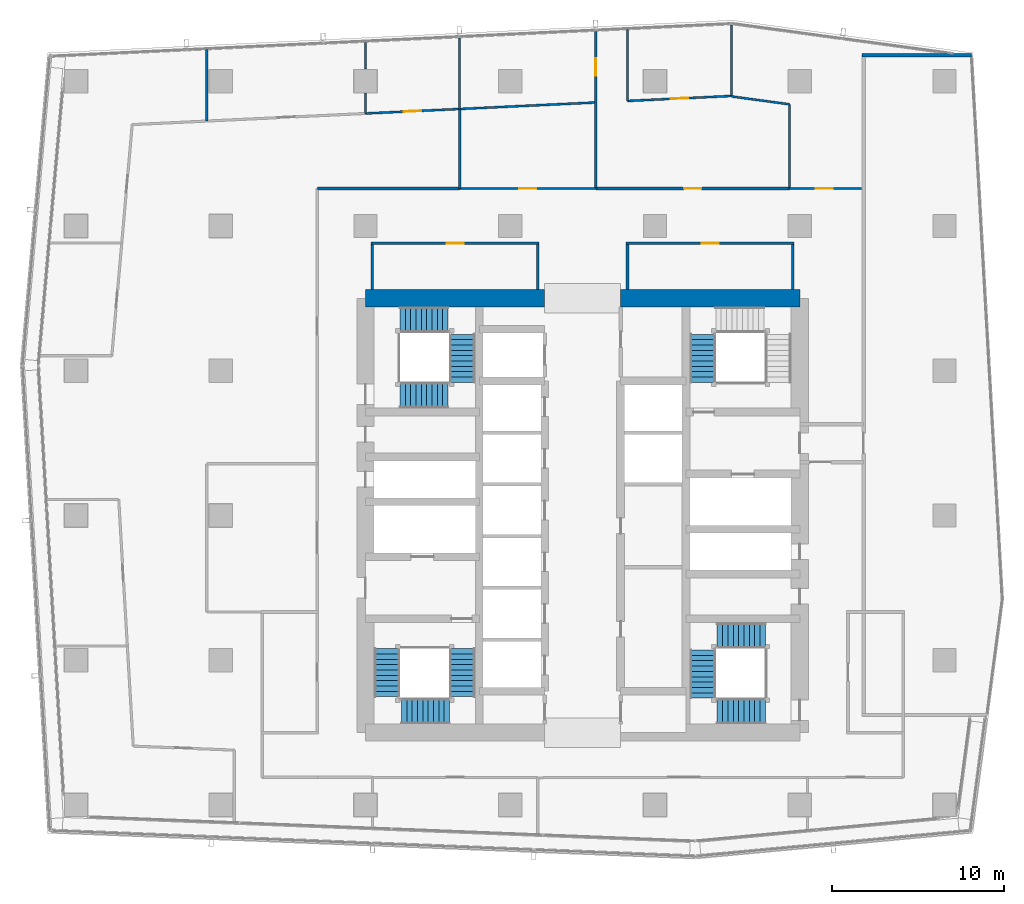
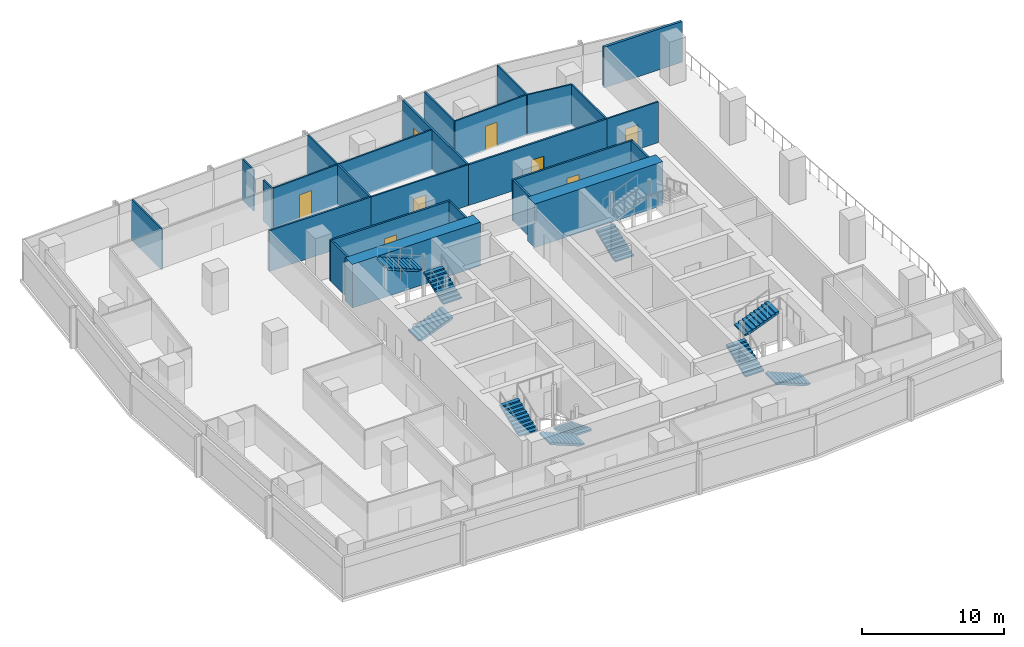
# One storey, part 25 of 33: 26 walls, 10 stair flights, 8 doors, 8 openings, 4 elements without a shape of their own.
"""IFC4 building model written with IfcOpenShell, lengths in metres."""

from ifc_helpers import new_model, si_unit, direction, frame, frame_2d, origin, place, context, subcontext, project, spatial, polyline, rectangle, outline, extrude, material, layer, layer_set, type_object, element, fill, aggregate, save


model = new_model("IFC4")

# Units and contexts
model_context = context("Model", 3, precision=1e-05, world=origin(), true_north=direction((0.0, 1.0)))
body_context = subcontext(model_context, "Body", "Model", "MODEL_VIEW")
ifc_project = project(units=[si_unit("LENGTHUNIT", "METRE"), si_unit("AREAUNIT", "SQUARE_METRE"), si_unit("VOLUMEUNIT", "CUBIC_METRE"), si_unit("PLANEANGLEUNIT", "RADIAN"), si_unit("MASSUNIT", "GRAM", prefix="KILO")], contexts=[model_context])

# Site, building, storey
site_placement = place(None, origin())
site = spatial("IfcSite", under=ifc_project, at=site_placement, CompositionType="ELEMENT")
building_placement = place(site_placement, origin())
building = spatial("IfcBuilding", under=site, at=building_placement, Name="Rekha Terrace Tower", CompositionType="ELEMENT")
storey_placement = place(building_placement, frame((0.0, 0.0, 206.449951171875)))
storey = spatial("IfcBuildingStorey", under=building, at=storey_placement, Name="L52", CompositionType="ELEMENT", Elevation=206.449951171875)

# Walls
ifc_material_1 = material(Name="Concrete M60", Category="concrete")
ifc_layer_1 = layer(ifc_material_1, 1.0)
ifc_layer_set_1 = layer_set([ifc_layer_1], Name="Concrete M60")
wall_type_1 = type_object("IfcWallType", Name="SW3 1000 core outer shear wall", PredefinedType="SHEAR", material=ifc_layer_set_1)
wall_1_placement = place(storey_placement, frame((25.199951171875, 46.199951171875, 0.0), z_axis=(0.0, 0.0, 1.0), x_axis=(1.0, 0.0, 0.0)))
element("IfcWall", 1, at=wall_1_placement, inside=storey, type_object=wall_type_1, Name="Core wall N1 L52", PredefinedType="SHEAR", context=body_context, shape_type="SweptSolid", body=[
    extrude(rectangle(XDim=10.400146484375, YDim=1.0, at=frame_2d((5.2001953125, 0.0))), origin(), (0.0, 0.0, 1.0), 3.75),
])
wall_2_placement = place(storey_placement, frame((40.0, 46.199951171875, 0.0), z_axis=(0.0, 0.0, 1.0), x_axis=(1.0, 0.0, 0.0)))
element("IfcWall", 2, at=wall_2_placement, inside=storey, type_object=wall_type_1, Name="Core wall N2 L52", PredefinedType="SHEAR", context=body_context, shape_type="SweptSolid", body=[
    extrude(rectangle(XDim=10.39990234375, YDim=1.0, at=frame_2d((5.199951171875, 0.0))), origin(), (0.0, 0.0, 1.0), 3.75),
])

# Wall, opening, door
ifc_material_2 = material(Name="Concrete block masonry, 1 hour", Category="masonry")
ifc_layer_2 = layer(ifc_material_2, 0.14990234375)
ifc_layer_set_2 = layer_set([ifc_layer_2], Name="Concrete block masonry, 1 hour")
wall_type_2 = type_object("IfcWallType", Name="WP2 150 tenancy partition", PredefinedType="PARTITIONING", material=ifc_layer_set_2)
wall_3_placement = place(storey_placement, frame((40.324951171875, 49.39990234375, 0.0), z_axis=(0.0, 0.0, 1.0), x_axis=(1.0, 0.0, 0.0)))
wall_3 = element("IfcWall", 3, at=wall_3_placement, inside=storey, type_object=wall_type_2, Name="Women's WC wall L52", PredefinedType="PARTITIONING", context=body_context, shape_type="SweptSolid", body=[
    extrude(rectangle(XDim=9.75, YDim=0.14990234375, at=frame_2d((4.875, 0.0))), origin(), (0.0, 0.0, 1.0), 3.5),
])
opening_1_placement = place(wall_3_placement, frame((4.375, 0.0, 0.0)))
opening_1 = element("IfcOpeningElement", 4, at=opening_1_placement, cuts=wall_3, Name="Opening D3", PredefinedType="OPENING", context=body_context, shape_type="SweptSolid", body=[
    extrude(rectangle(XDim=1.0, YDim=2.10009765625, at=frame_2d((0.5, 1.050048828125))), frame((0.0, 0.0849609375, 0.0), z_axis=(0.0, -1.0, 0.0), x_axis=(1.0, 0.0, 0.0)), (0.0, 0.0, 1.0), 0.169921875),
])
ifc_material_3 = material(Name="Laminated timber fire door", Category="wood")
door_type_1 = type_object("IfcDoorType", Name="D3 1000x2100 WC door", OperationType="SINGLE_SWING_LEFT", PredefinedType="DOOR", material=ifc_material_3)
door_1_placement = place(opening_1_placement, origin())
door_1 = element("IfcDoor", 5, at=door_1_placement, inside=storey, type_object=door_type_1, Name="Door women's wc L52", OperationType="SINGLE_SWING_LEFT", OverallHeight=2.10009765625, OverallWidth=1.0, PredefinedType="DOOR", context=body_context, shape_type="SweptSolid", body=[
    extrude(rectangle(XDim=1.0, YDim=2.10009765625, at=frame_2d((0.5, 1.050048828125))), frame((0.0, 0.02490234375, 0.0), z_axis=(0.0, -1.0, 0.0), x_axis=(1.0, 0.0, 0.0)), (0.0, 0.0, 1.0), 0.050048828125),
])
fill(opening_1, door_1)

# Walls
for number, where, z_axis, x_axis, name in (
    (6, (40.39990234375, 46.699951171875, 0.0), (0.0, 0.0, 1.0), (0.0, 1.0, 0.0), "Women's WC wall L52"),
    (7, (50.0, 46.699951171875, 0.0), (0.0, 0.0, 1.0), (0.0, 1.0, 0.0), "Women's WC wall L52"),
):
    element("IfcWall", number, at=place(storey_placement, frame(where, z_axis=z_axis, x_axis=x_axis)), inside=storey, type_object=wall_type_2, Name=name, PredefinedType="PARTITIONING", context=body_context, shape_type="SweptSolid", body=[
        extrude(rectangle(XDim=2.625, YDim=0.14990234375, at=frame_2d((1.3125, 0.0))), origin(), (0.0, 0.0, 1.0), 3.5),
    ])

# Wall, opening, door
wall_4_placement = place(storey_placement, frame((25.52490234375, 49.39990234375, 0.0), z_axis=(0.0, 0.0, 1.0), x_axis=(1.0, 0.0, 0.0)))
wall_4 = element("IfcWall", 8, at=wall_4_placement, inside=storey, type_object=wall_type_2, Name="Women's WC wall L52", PredefinedType="PARTITIONING", context=body_context, shape_type="SweptSolid", body=[
    extrude(rectangle(XDim=9.75, YDim=0.14990234375, at=frame_2d((4.875, 0.0))), origin(), (0.0, 0.0, 1.0), 3.5),
])
opening_2_placement = place(wall_4_placement, frame((4.375, 0.0, 0.0)))
opening_2 = element("IfcOpeningElement", 9, at=opening_2_placement, cuts=wall_4, Name="Opening D3", PredefinedType="OPENING", context=body_context, shape_type="SweptSolid", body=[
    extrude(rectangle(XDim=1.0, YDim=2.10009765625, at=frame_2d((0.5, 1.050048828125))), frame((0.0, 0.0849609375, 0.0), z_axis=(0.0, -1.0, 0.0), x_axis=(1.0, 0.0, 0.0)), (0.0, 0.0, 1.0), 0.169921875),
])
door_2_placement = place(opening_2_placement, origin())
door_2 = element("IfcDoor", 10, at=door_2_placement, inside=storey, type_object=door_type_1, Name="Door women's wc L52", OperationType="SINGLE_SWING_LEFT", OverallHeight=2.10009765625, OverallWidth=1.0, PredefinedType="DOOR", context=body_context, shape_type="SweptSolid", body=[
    extrude(rectangle(XDim=1.0, YDim=2.10009765625, at=frame_2d((0.5, 1.050048828125))), frame((0.0, 0.02490234375, 0.0), z_axis=(0.0, -1.0, 0.0), x_axis=(1.0, 0.0, 0.0)), (0.0, 0.0, 1.0), 0.050048828125),
])
fill(opening_2, door_2)

# Walls
for number, where, z_axis, x_axis, name in (
    (11, (25.60009765625, 46.699951171875, 0.0), (0.0, 0.0, 1.0), (0.0, 1.0, 0.0), "Women's WC wall L52"),
    (12, (35.199951171875, 46.699951171875, 0.0), (0.0, 0.0, 1.0), (0.0, 1.0, 0.0), "Women's WC wall L52"),
):
    element("IfcWall", number, at=place(storey_placement, frame(where, z_axis=z_axis, x_axis=x_axis)), inside=storey, type_object=wall_type_2, Name=name, PredefinedType="PARTITIONING", context=body_context, shape_type="SweptSolid", body=[
        extrude(rectangle(XDim=2.625, YDim=0.14990234375, at=frame_2d((1.3125, 0.0))), origin(), (0.0, 0.0, 1.0), 3.5),
    ])
wall_5_placement = place(storey_placement, frame((30.660888671875, 57.18798828125, 0.0), z_axis=(0.0, 0.0, 1.0), x_axis=(0.0, -1.0, 0.0)))
element("IfcWall", 13, at=wall_5_placement, inside=storey, type_object=wall_type_2, Name="Partition L52-O2", PredefinedType="PARTITIONING", context=body_context, shape_type="SweptSolid", body=[
    extrude(rectangle(XDim=4.613037109375, YDim=0.14990234375, at=frame_2d((2.306640625, 0.0))), origin(), (0.0, 0.0, 1.0), 3.5),
])
wall_6_placement = place(storey_placement, frame((30.660888671875, 52.574951171875, 0.0), z_axis=(0.0, 0.0, 1.0), x_axis=(-1.0, 0.0, 0.0)))
element("IfcWall", 14, at=wall_6_placement, inside=storey, type_object=wall_type_2, Name="Partition L52-O2", PredefinedType="PARTITIONING", context=body_context, shape_type="SweptSolid", body=[
    extrude(rectangle(XDim=8.260986328125, YDim=0.14990234375, at=frame_2d((4.13037109375, 0.0))), origin(), (0.0, 0.0, 1.0), 3.5),
])

# Wall, opening, door
wall_7_placement = place(storey_placement, frame((49.799072265625, 52.574951171875, 0.0), z_axis=(0.0, 0.0, 1.0), x_axis=(-1.0, 0.0, 0.0)))
wall_7 = element("IfcWall", 15, at=wall_7_placement, inside=storey, type_object=wall_type_2, Name="Partition L52-O2c", PredefinedType="PARTITIONING", context=body_context, shape_type="SweptSolid", body=[
    extrude(rectangle(XDim=11.22900390625, YDim=0.14990234375, at=frame_2d((5.614501953125, 0.0))), origin(), (0.0, 0.0, 1.0), 3.5),
])
opening_3_placement = place(wall_7_placement, frame((5.114013671875, 0.0, 0.0)))
opening_3 = element("IfcOpeningElement", 16, at=opening_3_placement, cuts=wall_7, Name="Opening D9", PredefinedType="OPENING", context=body_context, shape_type="SweptSolid", body=[
    extrude(rectangle(XDim=1.0, YDim=2.10009765625, at=frame_2d((0.5, 1.050048828125))), frame((0.0, 0.0849609375, 0.0), z_axis=(0.0, -1.0, 0.0), x_axis=(1.0, 0.0, 0.0)), (0.0, 0.0, 1.0), 0.169921875),
])
ifc_material_4 = material(Name="Timber fire door", Category="wood")
door_type_2 = type_object("IfcDoorType", Name="D9 1000x2100 office door", OperationType="SINGLE_SWING_LEFT", PredefinedType="DOOR", material=ifc_material_4)
door_3_placement = place(opening_3_placement, origin())
door_3 = element("IfcDoor", 17, at=door_3_placement, inside=storey, type_object=door_type_2, Name="Door open-plan office L52", OperationType="SINGLE_SWING_LEFT", OverallHeight=2.10009765625, OverallWidth=1.0, PredefinedType="DOOR", context=body_context, shape_type="SweptSolid", body=[
    extrude(rectangle(XDim=1.0, YDim=2.10009765625, at=frame_2d((0.5, 1.050048828125))), frame((0.0, 0.02490234375, 0.0), z_axis=(0.0, -1.0, 0.0), x_axis=(1.0, 0.0, 0.0)), (0.0, 0.0, 1.0), 0.050048828125),
])
fill(opening_3, door_3)

wall_8_placement = place(storey_placement, frame((38.570068359375, 52.574951171875, 0.0), z_axis=(0.0, 0.0, 1.0), x_axis=(0.0, 1.0, 0.0)))
wall_8 = element("IfcWall", 18, at=wall_8_placement, inside=storey, type_object=wall_type_2, Name="Partition L52-O2c", PredefinedType="PARTITIONING", context=body_context, shape_type="SweptSolid", body=[
    extrude(rectangle(XDim=9.115966796875, YDim=0.14990234375, at=frame_2d((4.55810546875, 0.0))), origin(), (0.0, 0.0, 1.0), 3.5),
])
opening_4_placement = place(wall_8_placement, frame((6.552978515625, 0.0, 0.0)))
opening_4 = element("IfcOpeningElement", 19, at=opening_4_placement, cuts=wall_8, Name="Opening D9", PredefinedType="OPENING", context=body_context, shape_type="SweptSolid", body=[
    extrude(rectangle(XDim=1.0, YDim=2.10009765625, at=frame_2d((0.5, 1.050048828125))), frame((0.0, 0.0849609375, 0.0), z_axis=(0.0, -1.0, 0.0), x_axis=(1.0, 0.0, 0.0)), (0.0, 0.0, 1.0), 0.169921875),
])
door_4_placement = place(opening_4_placement, origin())
door_4 = element("IfcDoor", 20, at=door_4_placement, inside=storey, type_object=door_type_2, Name="Door meeting room L52", OperationType="SINGLE_SWING_LEFT", OverallHeight=2.10009765625, OverallWidth=1.0, PredefinedType="DOOR", context=body_context, shape_type="SweptSolid", body=[
    extrude(rectangle(XDim=1.0, YDim=2.10009765625, at=frame_2d((0.5, 1.050048828125))), frame((0.0, 0.02490234375, 0.0), z_axis=(0.0, -1.0, 0.0), x_axis=(1.0, 0.0, 0.0)), (0.0, 0.0, 1.0), 0.050048828125),
])
fill(opening_4, door_4)

ifc_material_5 = material(Name="Two layers of fire-rated gypsum board each side on steel studs, acoustic quilt, 1 hour", Category="steel")
ifc_layer_3 = layer(ifc_material_5, 0.125)
ifc_layer_set_3 = layer_set([ifc_layer_3], Name="Two layers of fire-rated gypsum board each side on steel studs, acoustic quilt, 1 hour")
wall_type_3 = type_object("IfcWallType", Name="WP3 125 office partition", PredefinedType="PARTITIONING", material=ifc_layer_set_3)
wall_9_placement = place(storey_placement, frame((53.989013671875, 52.574951171875, 0.0), z_axis=(0.0, 0.0, 1.0), x_axis=(-1.0, 0.0, 0.0)))
wall_9 = element("IfcWall", 21, at=wall_9_placement, inside=storey, type_object=wall_type_3, Name="Partition L52-03", PredefinedType="PARTITIONING", context=body_context, shape_type="SweptSolid", body=[
    extrude(rectangle(XDim=4.18994140625, YDim=0.125, at=frame_2d((2.094970703125, 0.0))), origin(), (0.0, 0.0, 1.0), 3.5),
])
opening_5_placement = place(wall_9_placement, frame((1.6650390625, 0.0, 0.0)))
opening_5 = element("IfcOpeningElement", 22, at=opening_5_placement, cuts=wall_9, Name="Opening D9", PredefinedType="OPENING", context=body_context, shape_type="SweptSolid", body=[
    extrude(rectangle(XDim=1.0, YDim=2.10009765625, at=frame_2d((0.5, 1.050048828125))), frame((0.0, 0.072509765625, 0.0), z_axis=(0.0, -1.0, 0.0), x_axis=(1.0, 0.0, 0.0)), (0.0, 0.0, 1.0), 0.14501953125),
])
door_5_placement = place(opening_5_placement, origin())
door_5 = element("IfcDoor", 23, at=door_5_placement, inside=storey, type_object=door_type_2, Name="Door director's office L52", OperationType="SINGLE_SWING_LEFT", OverallHeight=2.10009765625, OverallWidth=1.0, PredefinedType="DOOR", context=body_context, shape_type="SweptSolid", body=[
    extrude(rectangle(XDim=1.0, YDim=2.10009765625, at=frame_2d((0.5, 1.050048828125))), frame((0.0, 0.02490234375, 0.0), z_axis=(0.0, -1.0, 0.0), x_axis=(1.0, 0.0, 0.0)), (0.0, 0.0, 1.0), 0.050048828125),
])
fill(opening_5, door_5)

# Walls
wall_10_placement = place(storey_placement, frame((49.799072265625, 52.574951171875, 0.0), z_axis=(0.0, 0.0, 1.0), x_axis=(0.0, 1.0, 0.0)))
element("IfcWall", 24, at=wall_10_placement, inside=storey, type_object=wall_type_3, Name="Partition L52-03", PredefinedType="PARTITIONING", context=body_context, shape_type="SweptSolid", body=[
    extrude(rectangle(XDim=4.884033203125, YDim=0.125, at=frame_2d((2.44189453125, 0.0))), origin(), (0.0, 0.0, 1.0), 3.5),
])
wall_11_placement = place(storey_placement, frame((49.799072265625, 57.458984375, 0.0), z_axis=(0.0, 0.0, 1.0), x_axis=(-0.990881886303, 0.13473339377, 0.0)))
element("IfcWall", 25, at=wall_11_placement, inside=storey, type_object=wall_type_3, Name="Partition L52-03", PredefinedType="PARTITIONING", context=body_context, shape_type="SweptSolid", body=[
    extrude(rectangle(XDim=3.384765625, YDim=0.125, at=frame_2d((1.6923828125, 0.0))), origin(), (0.0, 0.0, 1.0), 3.5),
])
wall_12_placement = place(storey_placement, frame((46.445068359375, 57.922119140625, 0.0), z_axis=(0.0, 0.0, 1.0), x_axis=(0.0, 1.0, 0.0)))
element("IfcWall", 26, at=wall_12_placement, inside=storey, type_object=wall_type_3, Name="Partition L52-03", PredefinedType="PARTITIONING", context=body_context, shape_type="SweptSolid", body=[
    extrude(rectangle(XDim=4.144775390625, YDim=0.125, at=frame_2d((2.072265625, 0.0))), origin(), (0.0, 0.0, 1.0), 3.5),
])
wall_13_placement = place(storey_placement, frame((40.402099609375, 57.654052734375, 0.0), z_axis=(0.0, 0.0, 1.0), x_axis=(0.0, 1.0, 0.0)))
element("IfcWall", 27, at=wall_13_placement, inside=storey, type_object=wall_type_3, Name="Partition L52-04", PredefinedType="PARTITIONING", context=body_context, shape_type="SweptSolid", body=[
    extrude(rectangle(XDim=4.155029296875, YDim=0.125, at=frame_2d((2.07763671875, 0.0))), origin(), (0.0, 0.0, 1.0), 3.5),
])

# Wall, opening, door
wall_14_placement = place(storey_placement, frame((46.383056640625, 57.93994140625, 0.0), z_axis=(0.0, 0.0, 1.0), x_axis=(-0.998859542521, -0.047745306731, 0.0)))
wall_14 = element("IfcWall", 28, at=wall_14_placement, inside=storey, type_object=wall_type_3, Name="Partition L52-04", PredefinedType="PARTITIONING", context=body_context, shape_type="SweptSolid", body=[
    extrude(rectangle(XDim=5.98779296875, YDim=0.125, at=frame_2d((2.993896484375, 0.0))), origin(), (0.0, 0.0, 1.0), 3.5),
])
opening_6_placement = place(wall_14_placement, frame((2.462890625, 0.0, 0.0)))
opening_6 = element("IfcOpeningElement", 29, at=opening_6_placement, cuts=wall_14, Name="Opening D9", PredefinedType="OPENING", context=body_context, shape_type="SweptSolid", body=[
    extrude(rectangle(XDim=1.0, YDim=2.10009765625, at=frame_2d((0.5, 1.050048828125))), frame((0.0, 0.072509765625, 0.0), z_axis=(0.0, -1.0, 0.0), x_axis=(1.0, 0.0, 0.0)), (0.0, 0.0, 1.0), 0.14501953125),
])
door_6_placement = place(opening_6_placement, origin())
door_6 = element("IfcDoor", 30, at=door_6_placement, inside=storey, type_object=door_type_2, Name="Door office L52", OperationType="SINGLE_SWING_LEFT", OverallHeight=2.10009765625, OverallWidth=1.0, PredefinedType="DOOR", context=body_context, shape_type="SweptSolid", body=[
    extrude(rectangle(XDim=1.0, YDim=2.10009765625, at=frame_2d((0.5, 1.050048828125))), frame((0.0, 0.02490234375, 0.0), z_axis=(0.0, -1.0, 0.0), x_axis=(1.0, 0.0, 0.0)), (0.0, 0.0, 1.0), 0.050048828125),
])
fill(opening_6, door_6)

# Walls
wall_15_placement = place(storey_placement, frame((25.197998046875, 56.927001953125, 0.0), z_axis=(0.0, 0.0, 1.0), x_axis=(0.0, 1.0, 0.0)))
element("IfcWall", 31, at=wall_15_placement, inside=storey, type_object=wall_type_3, Name="Partition L52-05", PredefinedType="PARTITIONING", context=body_context, shape_type="SweptSolid", body=[
    extrude(rectangle(XDim=1.177978515625, YDim=0.125, at=frame_2d((0.5888671875, 0.0))), origin(), (0.0, 0.0, 1.0), 3.5),
])
wall_16_placement = place(storey_placement, frame((25.197998046875, 59.4951171875, 0.0), z_axis=(0.0, 0.0, 1.0), x_axis=(0.0, 1.0, 0.0)))
element("IfcWall", 32, at=wall_16_placement, inside=storey, type_object=wall_type_3, Name="Partition L52-05", PredefinedType="PARTITIONING", context=body_context, shape_type="SweptSolid", body=[
    extrude(rectangle(XDim=1.556884765625, YDim=0.125, at=frame_2d((0.7783203125, 0.0))), origin(), (0.0, 0.0, 1.0), 3.5),
])
wall_17_placement = place(storey_placement, frame((30.660888671875, 61.31298828125, 0.0), z_axis=(0.0, 0.0, 1.0), x_axis=(0.0, -1.0, 0.0)))
element("IfcWall", 33, at=wall_17_placement, inside=storey, type_object=wall_type_3, Name="Partition L52-05", PredefinedType="PARTITIONING", context=body_context, shape_type="SweptSolid", body=[
    extrude(rectangle(XDim=4.125, YDim=0.125, at=frame_2d((2.0625, 0.0))), origin(), (0.0, 0.0, 1.0), 3.5),
])

# Wall, opening, door
wall_18_placement = place(storey_placement, frame((30.660888671875, 57.18798828125, 0.0), z_axis=(0.0, 0.0, 1.0), x_axis=(-0.998860753084, -0.047719974305, 0.0)))
wall_18 = element("IfcWall", 34, at=wall_18_placement, inside=storey, type_object=wall_type_3, Name="Partition L52-05", PredefinedType="PARTITIONING", context=body_context, shape_type="SweptSolid", body=[
    extrude(rectangle(XDim=5.46923828125, YDim=0.125, at=frame_2d((2.734619140625, 0.0))), origin(), (0.0, 0.0, 1.0), 3.5),
])
opening_7_placement = place(wall_18_placement, frame((2.235107421875, 0.0, 0.0)))
opening_7 = element("IfcOpeningElement", 35, at=opening_7_placement, cuts=wall_18, Name="Opening D9", PredefinedType="OPENING", context=body_context, shape_type="SweptSolid", body=[
    extrude(rectangle(XDim=1.0, YDim=2.10009765625, at=frame_2d((0.5, 1.050048828125))), frame((0.0, 0.072509765625, 0.0), z_axis=(0.0, -1.0, 0.0), x_axis=(1.0, 0.0, 0.0)), (0.0, 0.0, 1.0), 0.14501953125),
])
door_7_placement = place(opening_7_placement, origin())
door_7 = element("IfcDoor", 36, at=door_7_placement, inside=storey, type_object=door_type_2, Name="Door office L52", OperationType="SINGLE_SWING_LEFT", OverallHeight=2.10009765625, OverallWidth=1.0, PredefinedType="DOOR", context=body_context, shape_type="SweptSolid", body=[
    extrude(rectangle(XDim=1.0, YDim=2.10009765625, at=frame_2d((0.5, 1.050048828125))), frame((0.0, 0.02490234375, 0.0), z_axis=(0.0, -1.0, 0.0), x_axis=(1.0, 0.0, 0.0)), (0.0, 0.0, 1.0), 0.050048828125),
])
fill(opening_7, door_7)

# Walls
wall_19_placement = place(storey_placement, frame((15.989990234375, 56.487060546875, 0.0), z_axis=(0.0, 0.0, 1.0), x_axis=(0.0, 1.0, 0.0)))
element("IfcWall", 37, at=wall_19_placement, inside=storey, type_object=wall_type_3, Name="Partition L52-06", PredefinedType="PARTITIONING", context=body_context, shape_type="SweptSolid", body=[
    extrude(rectangle(XDim=4.155029296875, YDim=0.125, at=frame_2d((2.07763671875, 0.0))), origin(), (0.0, 0.0, 1.0), 3.5),
])
wall_20_placement = place(storey_placement, frame((38.4951171875, 57.56201171875, 0.0), z_axis=(0.0, 0.0, 1.0), x_axis=(-0.998862284903, -0.047687899918, 0.0)))
element("IfcWall", 38, at=wall_20_placement, inside=storey, type_object=wall_type_3, Name="Partition L52-14", PredefinedType="PARTITIONING", context=body_context, shape_type="SweptSolid", body=[
    extrude(rectangle(XDim=7.84326171875, YDim=0.125, at=frame_2d((3.921630859375, 0.0))), origin(), (0.0, 0.0, 1.0), 3.5),
])

# Wall, opening, door
wall_21_placement = place(storey_placement, frame((38.570068359375, 52.574951171875, 0.0), z_axis=(0.0, 0.0, 1.0), x_axis=(-1.0, 0.0, 0.0)))
wall_21 = element("IfcWall", 39, at=wall_21_placement, inside=storey, type_object=wall_type_3, Name="Partition L52-15", PredefinedType="PARTITIONING", context=body_context, shape_type="SweptSolid", body=[
    extrude(rectangle(XDim=7.9091796875, YDim=0.125, at=frame_2d((3.95458984375, 0.0))), origin(), (0.0, 0.0, 1.0), 3.5),
])
opening_8_placement = place(wall_21_placement, frame((3.455078125, 0.0, 0.0)))
opening_8 = element("IfcOpeningElement", 40, at=opening_8_placement, cuts=wall_21, Name="Opening D9", PredefinedType="OPENING", context=body_context, shape_type="SweptSolid", body=[
    extrude(rectangle(XDim=1.0, YDim=2.10009765625, at=frame_2d((0.5, 1.050048828125))), frame((0.0, 0.072509765625, 0.0), z_axis=(0.0, -1.0, 0.0), x_axis=(1.0, 0.0, 0.0)), (0.0, 0.0, 1.0), 0.14501953125),
])
door_8_placement = place(opening_8_placement, origin())
door_8 = element("IfcDoor", 41, at=door_8_placement, inside=storey, type_object=door_type_2, Name="Door breakout lounge L52", OperationType="SINGLE_SWING_LEFT", OverallHeight=2.10009765625, OverallWidth=1.0, PredefinedType="DOOR", context=body_context, shape_type="SweptSolid", body=[
    extrude(rectangle(XDim=1.0, YDim=2.10009765625, at=frame_2d((0.5, 1.050048828125))), frame((0.0, 0.02490234375, 0.0), z_axis=(0.0, -1.0, 0.0), x_axis=(1.0, 0.0, 0.0)), (0.0, 0.0, 1.0), 0.050048828125),
])
fill(opening_8, door_8)

# Wall
ifc_material_6 = material(Name="Solid concrete block masonry, 2 hour", Category="masonry")
ifc_layer_4 = layer(ifc_material_6, 0.199951171875)
ifc_layer_set_4 = layer_set([ifc_layer_4], Name="Solid concrete block masonry, 2 hour")
wall_type_4 = type_object("IfcWallType", Name="WS1 200 stair and shaft enclosure", PredefinedType="PARTITIONING", material=ifc_layer_set_4)
wall_22_placement = place(storey_placement, frame((54.0, 60.30908203125, 0.0), z_axis=(0.0, 0.0, 1.0), x_axis=(1.0, 0.0, 0.0)))
element("IfcWall", 42, at=wall_22_placement, inside=storey, type_object=wall_type_4, Name="Refuge area north wall L52", PredefinedType="PARTITIONING", context=body_context, shape_type="SweptSolid", body=[
    extrude(rectangle(XDim=6.35791015625, YDim=0.199951171875, at=frame_2d((3.178955078125, 0.0))), origin(), (0.0, 0.0, 1.0), 3.5),
])

# Stair, stair flights
ifc_material_7 = material(Name="Concrete M40", Category="concrete")
stair_type = type_object("IfcStairType", Name="ST30 stair, 30 risers of 125, going 310, 1500 wide flights, 3 flights", PredefinedType="HALF_TURN_STAIR", material=ifc_material_7)
stair_1_placement = place(storey_placement, origin())
stair_1 = element("IfcStair", 43, at=stair_1_placement, inside=storey, type_object=stair_type, Name="Stair ST1 L52 to L53", PredefinedType="HALF_TURN_STAIR")
stair_flight_type = type_object("IfcStairFlightType", Name="SF10 stair flight, 10 risers of 125, going 310, 1500 wide", PredefinedType="STRAIGHT", material=ifc_material_7)
stair_flight_1_placement = place(storey_placement, frame((30.824951171875, 25.875, 0.0), z_axis=(0.0, 0.0, 1.0), x_axis=(0.0, -1.0, 0.0)))
stair_flight_1 = element("IfcStairFlight", 44, at=stair_flight_1_placement, type_object=stair_flight_type, Name="ST1 flight 1", NumberOfRisers=10, NumberOfTreads=9, PredefinedType="STRAIGHT", RiserHeight=0.125, TreadLength=0.31, context=body_context, shape_type="SweptSolid", body=[
    extrude(outline(polyline([(0.0, 0.0), (0.0, 0.125), (0.31005859375, 0.125), (0.31005859375, 0.25), (0.6201171875, 0.25), (0.6201171875, 0.375), (0.929931640625, 0.375), (0.929931640625, 0.5), (1.239990234375, 0.5), (1.239990234375, 0.625), (1.550048828125, 0.625), (1.550048828125, 0.75), (1.860107421875, 0.75), (1.860107421875, 0.875), (2.169921875, 0.875), (2.169921875, 1.0), (2.47998046875, 1.0), (2.47998046875, 1.125), (2.7900390625, 1.125), (2.7900390625, 1.25), (2.7900390625, 0.96337890625), (0.40087890625, 0.0), (0.0, 0.0)])), frame((0.0, 0.75, 0.0), z_axis=(0.0, -1.0, 0.0), x_axis=(1.0, 0.0, 0.0)), (0.0, 0.0, 1.0), 1.5),
])
stair_flight_2_placement = place(storey_placement, frame((30.074951171875, 22.25, 1.25), z_axis=(0.0, 0.0, 1.0), x_axis=(-1.0, 0.0, 0.0)))
stair_flight_2 = element("IfcStairFlight", 45, at=stair_flight_2_placement, type_object=stair_flight_type, Name="ST1 flight 2", NumberOfRisers=10, NumberOfTreads=9, PredefinedType="STRAIGHT", RiserHeight=0.125, TreadLength=0.31, context=body_context, shape_type="SweptSolid", body=[
    extrude(outline(polyline([(0.0, 0.0), (0.0, 0.125), (0.31005859375, 0.125), (0.31005859375, 0.25), (0.6201171875, 0.25), (0.6201171875, 0.375), (0.929931640625, 0.375), (0.929931640625, 0.5), (1.239990234375, 0.5), (1.239990234375, 0.625), (1.550048828125, 0.625), (1.550048828125, 0.75), (1.860107421875, 0.75), (1.860107421875, 0.875), (2.169921875, 0.875), (2.169921875, 1.0), (2.47998046875, 1.0), (2.47998046875, 1.125), (2.7900390625, 1.125), (2.7900390625, 1.25), (2.7900390625, 0.96337890625), (0.40087890625, 0.0), (0.0, 0.0)])), frame((0.0, 0.75, 0.0), z_axis=(0.0, -1.0, 0.0), x_axis=(1.0, 0.0, 0.0)), (0.0, 0.0, 1.0), 1.5),
])
stair_flight_3_placement = place(storey_placement, frame((26.449951171875, 23.0849609375, 2.5), z_axis=(0.0, 0.0, 1.0), x_axis=(0.0, 1.0, 0.0)))
stair_flight_3 = element("IfcStairFlight", 46, at=stair_flight_3_placement, type_object=stair_flight_type, Name="ST1 flight 3", NumberOfRisers=10, NumberOfTreads=9, PredefinedType="STRAIGHT", RiserHeight=0.125, TreadLength=0.31, context=body_context, shape_type="SweptSolid", body=[
    extrude(outline(polyline([(0.0, 0.0), (0.0, 0.125), (0.31005859375, 0.125), (0.31005859375, 0.25), (0.6201171875, 0.25), (0.6201171875, 0.375), (0.929931640625, 0.375), (0.929931640625, 0.5), (1.239990234375, 0.5), (1.239990234375, 0.625), (1.550048828125, 0.625), (1.550048828125, 0.75), (1.860107421875, 0.75), (1.860107421875, 0.875), (2.169921875, 0.875), (2.169921875, 1.0), (2.47998046875, 1.0), (2.47998046875, 1.125), (2.7900390625, 1.125), (2.7900390625, 1.25), (2.7900390625, 0.96337890625), (0.40087890625, 0.0), (0.0, 0.0)])), frame((0.0, 0.75, 0.0), z_axis=(0.0, -1.0, 0.0), x_axis=(1.0, 0.0, 0.0)), (0.0, 0.0, 1.0), 1.5),
])
aggregate(stair_1, [stair_flight_1, stair_flight_2, stair_flight_3])

# Stair, stair flight
stair_2_placement = place(storey_placement, origin())
stair_2 = element("IfcStair", 47, at=stair_2_placement, inside=storey, type_object=stair_type, Name="Stair ST2 L52 to L53", PredefinedType="HALF_TURN_STAIR")
stair_flight_4_placement = place(storey_placement, frame((44.77490234375, 41.324951171875, 0.0), z_axis=(0.0, 0.0, 1.0), x_axis=(0.0, 1.0, 0.0)))
stair_flight_4 = element("IfcStairFlight", 48, at=stair_flight_4_placement, type_object=stair_flight_type, Name="ST2 flight 1", NumberOfRisers=10, NumberOfTreads=9, PredefinedType="STRAIGHT", RiserHeight=0.125, TreadLength=0.31, context=body_context, shape_type="SweptSolid", body=[
    extrude(outline(polyline([(0.0, 0.0), (0.0, 0.125), (0.31005859375, 0.125), (0.31005859375, 0.25), (0.6201171875, 0.25), (0.6201171875, 0.375), (0.929931640625, 0.375), (0.929931640625, 0.5), (1.239990234375, 0.5), (1.239990234375, 0.625), (1.550048828125, 0.625), (1.550048828125, 0.75), (1.860107421875, 0.75), (1.860107421875, 0.875), (2.169921875, 0.875), (2.169921875, 1.0), (2.47998046875, 1.0), (2.47998046875, 1.125), (2.7900390625, 1.125), (2.7900390625, 1.25), (2.7900390625, 0.96337890625), (0.40087890625, 0.0), (0.0, 0.0)])), frame((0.0, 0.75, 0.0), z_axis=(0.0, -1.0, 0.0), x_axis=(1.0, 0.0, 0.0)), (0.0, 0.0, 1.0), 1.5),
])
aggregate(stair_2, [stair_flight_4])

# Stair, stair flights
stair_3_placement = place(storey_placement, origin())
stair_3 = element("IfcStair", 49, at=stair_3_placement, inside=storey, type_object=stair_type, Name="Stair ST3 L52 to L53", PredefinedType="HALF_TURN_STAIR")
stair_flight_5_placement = place(storey_placement, frame((48.39990234375, 22.25, 0.0), z_axis=(0.0, 0.0, 1.0), x_axis=(-1.0, 0.0, 0.0)))
stair_flight_5 = element("IfcStairFlight", 50, at=stair_flight_5_placement, type_object=stair_flight_type, Name="ST3 flight 1", NumberOfRisers=10, NumberOfTreads=9, PredefinedType="STRAIGHT", RiserHeight=0.125, TreadLength=0.31, context=body_context, shape_type="SweptSolid", body=[
    extrude(outline(polyline([(0.0, 0.0), (0.0, 0.125), (0.31005859375, 0.125), (0.31005859375, 0.25), (0.6201171875, 0.25), (0.6201171875, 0.375), (0.929931640625, 0.375), (0.929931640625, 0.5), (1.239990234375, 0.5), (1.239990234375, 0.625), (1.550048828125, 0.625), (1.550048828125, 0.75), (1.860107421875, 0.75), (1.860107421875, 0.875), (2.169921875, 0.875), (2.169921875, 1.0), (2.47998046875, 1.0), (2.47998046875, 1.125), (2.7900390625, 1.125), (2.7900390625, 1.25), (2.7900390625, 0.96337890625), (0.40087890625, 0.0), (0.0, 0.0)])), frame((0.0, 0.75, 0.0), z_axis=(0.0, -1.0, 0.0), x_axis=(1.0, 0.0, 0.0)), (0.0, 0.0, 1.0), 1.5),
])
stair_flight_6_placement = place(storey_placement, frame((44.77490234375, 23.0, 1.25), z_axis=(0.0, 0.0, 1.0), x_axis=(0.0, 1.0, 0.0)))
stair_flight_6 = element("IfcStairFlight", 51, at=stair_flight_6_placement, type_object=stair_flight_type, Name="ST3 flight 2", NumberOfRisers=10, NumberOfTreads=9, PredefinedType="STRAIGHT", RiserHeight=0.125, TreadLength=0.31, context=body_context, shape_type="SweptSolid", body=[
    extrude(outline(polyline([(0.0, 0.0), (0.0, 0.125), (0.31005859375, 0.125), (0.31005859375, 0.25), (0.6201171875, 0.25), (0.6201171875, 0.375), (0.929931640625, 0.375), (0.929931640625, 0.5), (1.239990234375, 0.5), (1.239990234375, 0.625), (1.550048828125, 0.625), (1.550048828125, 0.75), (1.860107421875, 0.75), (1.860107421875, 0.875), (2.169921875, 0.875), (2.169921875, 1.0), (2.47998046875, 1.0), (2.47998046875, 1.125), (2.7900390625, 1.125), (2.7900390625, 1.25), (2.7900390625, 0.96337890625), (0.40087890625, 0.0), (0.0, 0.0)])), frame((0.0, 0.75, 0.0), z_axis=(0.0, -1.0, 0.0), x_axis=(1.0, 0.0, 0.0)), (0.0, 0.0, 1.0), 1.5),
])
stair_flight_7_placement = place(storey_placement, frame((45.610107421875, 26.625, 2.5), z_axis=(0.0, 0.0, 1.0), x_axis=(1.0, 0.0, 0.0)))
stair_flight_7 = element("IfcStairFlight", 52, at=stair_flight_7_placement, type_object=stair_flight_type, Name="ST3 flight 3", NumberOfRisers=10, NumberOfTreads=9, PredefinedType="STRAIGHT", RiserHeight=0.125, TreadLength=0.31, context=body_context, shape_type="SweptSolid", body=[
    extrude(outline(polyline([(0.0, 0.0), (0.0, 0.125), (0.31005859375, 0.125), (0.31005859375, 0.25), (0.6201171875, 0.25), (0.6201171875, 0.375), (0.929931640625, 0.375), (0.929931640625, 0.5), (1.239990234375, 0.5), (1.239990234375, 0.625), (1.550048828125, 0.625), (1.550048828125, 0.75), (1.860107421875, 0.75), (1.860107421875, 0.875), (2.169921875, 0.875), (2.169921875, 1.0), (2.47998046875, 1.0), (2.47998046875, 1.125), (2.7900390625, 1.125), (2.7900390625, 1.25), (2.7900390625, 0.96337890625), (0.40087890625, 0.0), (0.0, 0.0)])), frame((0.0, 0.75, 0.0), z_axis=(0.0, -1.0, 0.0), x_axis=(1.0, 0.0, 0.0)), (0.0, 0.0, 1.0), 1.5),
])
aggregate(stair_3, [stair_flight_5, stair_flight_6, stair_flight_7])

stair_4_placement = place(storey_placement, origin())
stair_4 = element("IfcStair", 53, at=stair_4_placement, inside=storey, type_object=stair_type, Name="Stair ST4 L52 to L53", PredefinedType="HALF_TURN_STAIR")
stair_flight_8_placement = place(storey_placement, frame((27.199951171875, 40.574951171875, 0.0), z_axis=(0.0, 0.0, 1.0), x_axis=(1.0, 0.0, 0.0)))
stair_flight_8 = element("IfcStairFlight", 54, at=stair_flight_8_placement, type_object=stair_flight_type, Name="ST4 flight 1", NumberOfRisers=10, NumberOfTreads=9, PredefinedType="STRAIGHT", RiserHeight=0.125, TreadLength=0.31, context=body_context, shape_type="SweptSolid", body=[
    extrude(outline(polyline([(0.0, 0.0), (0.0, 0.125), (0.31005859375, 0.125), (0.31005859375, 0.25), (0.6201171875, 0.25), (0.6201171875, 0.375), (0.929931640625, 0.375), (0.929931640625, 0.5), (1.239990234375, 0.5), (1.239990234375, 0.625), (1.550048828125, 0.625), (1.550048828125, 0.75), (1.860107421875, 0.75), (1.860107421875, 0.875), (2.169921875, 0.875), (2.169921875, 1.0), (2.47998046875, 1.0), (2.47998046875, 1.125), (2.7900390625, 1.125), (2.7900390625, 1.25), (2.7900390625, 0.96337890625), (0.40087890625, 0.0), (0.0, 0.0)])), frame((0.0, 0.75, 0.0), z_axis=(0.0, -1.0, 0.0), x_axis=(1.0, 0.0, 0.0)), (0.0, 0.0, 1.0), 1.5),
])
stair_flight_9_placement = place(storey_placement, frame((30.824951171875, 41.324951171875, 1.25), z_axis=(0.0, 0.0, 1.0), x_axis=(0.0, 1.0, 0.0)))
stair_flight_9 = element("IfcStairFlight", 55, at=stair_flight_9_placement, type_object=stair_flight_type, Name="ST4 flight 2", NumberOfRisers=10, NumberOfTreads=9, PredefinedType="STRAIGHT", RiserHeight=0.125, TreadLength=0.31, context=body_context, shape_type="SweptSolid", body=[
    extrude(outline(polyline([(0.0, 0.0), (0.0, 0.125), (0.31005859375, 0.125), (0.31005859375, 0.25), (0.6201171875, 0.25), (0.6201171875, 0.375), (0.929931640625, 0.375), (0.929931640625, 0.5), (1.239990234375, 0.5), (1.239990234375, 0.625), (1.550048828125, 0.625), (1.550048828125, 0.75), (1.860107421875, 0.75), (1.860107421875, 0.875), (2.169921875, 0.875), (2.169921875, 1.0), (2.47998046875, 1.0), (2.47998046875, 1.125), (2.7900390625, 1.125), (2.7900390625, 1.25), (2.7900390625, 0.96337890625), (0.40087890625, 0.0), (0.0, 0.0)])), frame((0.0, 0.75, 0.0), z_axis=(0.0, -1.0, 0.0), x_axis=(1.0, 0.0, 0.0)), (0.0, 0.0, 1.0), 1.5),
])
stair_flight_10_placement = place(storey_placement, frame((29.989990234375, 44.949951171875, 2.5), z_axis=(0.0, 0.0, 1.0), x_axis=(-1.0, 0.0, 0.0)))
stair_flight_10 = element("IfcStairFlight", 56, at=stair_flight_10_placement, type_object=stair_flight_type, Name="ST4 flight 3", NumberOfRisers=10, NumberOfTreads=9, PredefinedType="STRAIGHT", RiserHeight=0.125, TreadLength=0.31, context=body_context, shape_type="SweptSolid", body=[
    extrude(outline(polyline([(0.0, 0.0), (0.0, 0.125), (0.31005859375, 0.125), (0.31005859375, 0.25), (0.6201171875, 0.25), (0.6201171875, 0.375), (0.929931640625, 0.375), (0.929931640625, 0.5), (1.239990234375, 0.5), (1.239990234375, 0.625), (1.550048828125, 0.625), (1.550048828125, 0.75), (1.860107421875, 0.75), (1.860107421875, 0.875), (2.169921875, 0.875), (2.169921875, 1.0), (2.47998046875, 1.0), (2.47998046875, 1.125), (2.7900390625, 1.125), (2.7900390625, 1.25), (2.7900390625, 0.96337890625), (0.40087890625, 0.0), (0.0, 0.0)])), frame((0.0, 0.75, 0.0), z_axis=(0.0, -1.0, 0.0), x_axis=(1.0, 0.0, 0.0)), (0.0, 0.0, 1.0), 1.5),
])
aggregate(stair_4, [stair_flight_8, stair_flight_9, stair_flight_10])

save(model, "model.ifc")
